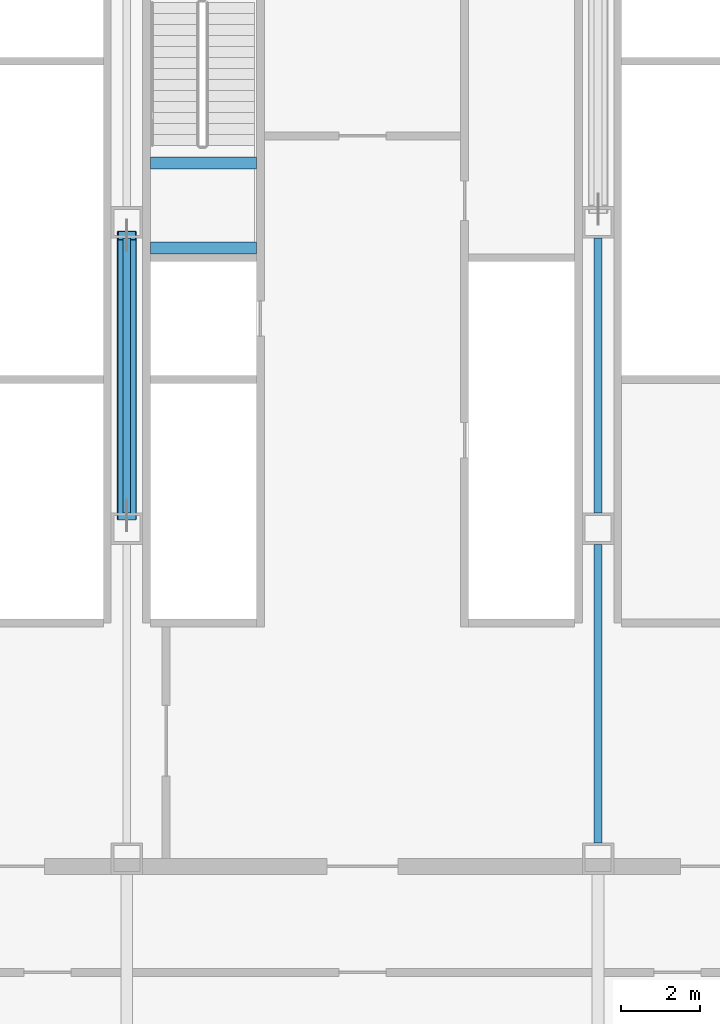
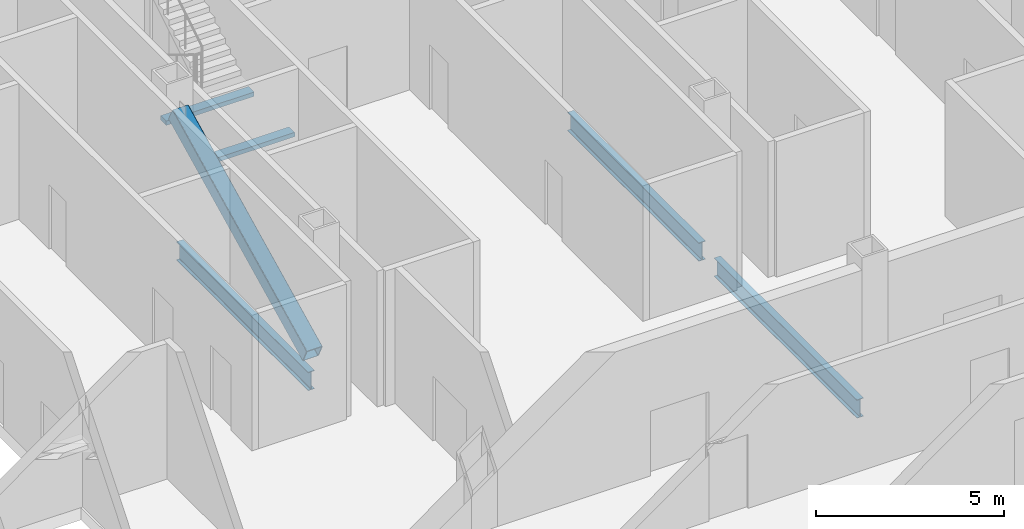
# One storey, part 12 of 33: 5 beams, 1 member.
"""IFC4 building model written with IfcOpenShell, lengths in metres."""

from ifc_helpers import new_model, si_unit, direction, frame, origin, origin_2d, place, context, subcontext, project, spatial, rectangle, hollow_rectangle, i_section, extrude, material, material_profile, profile_set, type_object, element, save


model = new_model("IFC4")

# Units and contexts
model_context = context("Model", 3, precision=1e-05, world=origin(), true_north=direction((0.0, 1.0)))
body_context = subcontext(model_context, "Body", "Model", "MODEL_VIEW")
ifc_project = project(units=[si_unit("LENGTHUNIT", "METRE"), si_unit("AREAUNIT", "SQUARE_METRE"), si_unit("VOLUMEUNIT", "CUBIC_METRE"), si_unit("PLANEANGLEUNIT", "RADIAN"), si_unit("MASSUNIT", "GRAM", prefix="KILO")], contexts=[model_context])

# Site, building, storey
site_placement = place(None, origin())
site = spatial("IfcSite", under=ifc_project, at=site_placement, CompositionType="ELEMENT")
building_placement = place(site_placement, origin())
building = spatial("IfcBuilding", under=site, at=building_placement, Name="Sorahane Residences", CompositionType="ELEMENT")
storey_placement = place(building_placement, frame((0.0, 0.0, 25.199951171875)))
storey = spatial("IfcBuildingStorey", under=building, at=storey_placement, Name="L03", CompositionType="ELEMENT", Elevation=25.199951171875)

# Member
ifc_material_1 = material(Name="Steel Q355B", Category="steel")
ifc_material_profile_1 = material_profile(ifc_material_1, hollow_rectangle(XDim=0.5, YDim=0.5, WallThickness=0.02490234375, InnerFilletRadius=0.012451171875, OuterFilletRadius=0.03759765625, at=origin_2d()), Name="RHS 500x500x25")
ifc_profile_set_1 = profile_set([ifc_material_profile_1], Name="Steel Q355B")
member_type = type_object("IfcMemberType", Name="Core brace RHS 500x500x25 Q355B", PredefinedType="BRACE", material=ifc_profile_set_1)
member_placement = place(storey_placement, frame((18.0, 30.333740234375, 0.21728515625), z_axis=(0.0, 0.89697311716, 0.44208509033), x_axis=(-1.0, 0.0, 0.0)))
element("IfcMember", 1, at=member_placement, inside=storey, type_object=member_type, Name="Core brace L03 x18-1", PredefinedType="BRACE", context=body_context, shape_type="SweptSolid", body=[
    extrude(hollow_rectangle(XDim=0.5, YDim=0.5, WallThickness=0.02490234375, InnerFilletRadius=0.012451171875, OuterFilletRadius=0.03759765625, at=origin_2d()), origin(), (0.0, 0.0, 1.0), 7.951904296875),
])

# Beams
ifc_material_2 = material(Name="Concrete C40", Category="concrete")
ifc_material_profile_2 = material_profile(ifc_material_2, rectangle(XDim=0.300048828125, YDim=0.139892578125, at=origin_2d()), Name="300x140")
ifc_profile_set_2 = profile_set([ifc_material_profile_2], Name="Concrete C40")
beam_type_1 = type_object("IfcBeamType", Name="RC landing beam 300 x 140 Concrete C40", PredefinedType="BEAM", material=ifc_profile_set_2)
for number, where, z_axis, x_axis, name in (
    (2, (18.60009765625, 37.14990234375, 2.130126953125), (1.0, 0.0, 0.0), (0.0, 1.0, 0.0), "Landing beam"),
    (3, (18.60009765625, 39.31005859375, 2.130126953125), (1.0, 0.0, 0.0), (0.0, 1.0, 0.0), "Landing beam"),
):
    element("IfcBeam", number, at=place(storey_placement, frame(where, z_axis=z_axis, x_axis=x_axis)), inside=storey, type_object=beam_type_1, Name=name, PredefinedType="BEAM", context=body_context, shape_type="SweptSolid", body=[
        extrude(rectangle(XDim=0.300048828125, YDim=0.139892578125, at=origin_2d()), origin(), (0.0, 0.0, 1.0), 2.699951171875),
    ])
ifc_material_3 = material(Name="Steel Q355B", Category="steel")
ifc_material_profile_3 = material_profile(ifc_material_3, i_section(OverallWidth=0.199951171875, OverallDepth=0.60009765625, WebThickness=0.010986328125, FlangeThickness=0.01708984375, FilletRadius=0.02392578125, at=origin_2d()), Name="HN 600x200x11x17")
ifc_profile_set_3 = profile_set([ifc_material_profile_3], Name="Steel Q355B")
beam_type_2 = type_object("IfcBeamType", Name="Steel floor beam HN 600x200x11x17 Q355B", PredefinedType="BEAM", material=ifc_profile_set_3)
beam_1_placement = place(storey_placement, frame((18.0, 30.39990234375, -0.699951171875), z_axis=(0.0, 1.0, 0.0), x_axis=(-1.0, 0.0, 0.0)))
element("IfcBeam", 4, at=beam_1_placement, inside=storey, type_object=beam_type_2, Name="Beam L03 041", PredefinedType="BEAM", context=body_context, shape_type="SweptSolid", body=[
    extrude(i_section(OverallWidth=0.199951171875, OverallDepth=0.60009765625, WebThickness=0.010986328125, FlangeThickness=0.01708984375, FilletRadius=0.02392578125, at=origin_2d()), origin(), (0.0, 0.0, 1.0), 7.0),
])
beam_2_placement = place(storey_placement, frame((30.0, 22.0, -0.699951171875), z_axis=(0.0, 1.0, 0.0), x_axis=(-1.0, 0.0, 0.0)))
element("IfcBeam", 5, at=beam_2_placement, inside=storey, type_object=beam_type_2, Name="Beam L03 049", PredefinedType="BEAM", context=body_context, shape_type="SweptSolid", body=[
    extrude(i_section(OverallWidth=0.199951171875, OverallDepth=0.60009765625, WebThickness=0.010986328125, FlangeThickness=0.01708984375, FilletRadius=0.02392578125, at=origin_2d()), origin(), (0.0, 0.0, 1.0), 7.60009765625),
])
beam_3_placement = place(storey_placement, frame((30.0, 30.39990234375, -0.699951171875), z_axis=(0.0, 1.0, 0.0), x_axis=(-1.0, 0.0, 0.0)))
element("IfcBeam", 6, at=beam_3_placement, inside=storey, type_object=beam_type_2, Name="Beam L03 050", PredefinedType="BEAM", context=body_context, shape_type="SweptSolid", body=[
    extrude(i_section(OverallWidth=0.199951171875, OverallDepth=0.60009765625, WebThickness=0.010986328125, FlangeThickness=0.01708984375, FilletRadius=0.02392578125, at=origin_2d()), origin(), (0.0, 0.0, 1.0), 7.0),
])

save(model, "model.ifc")
